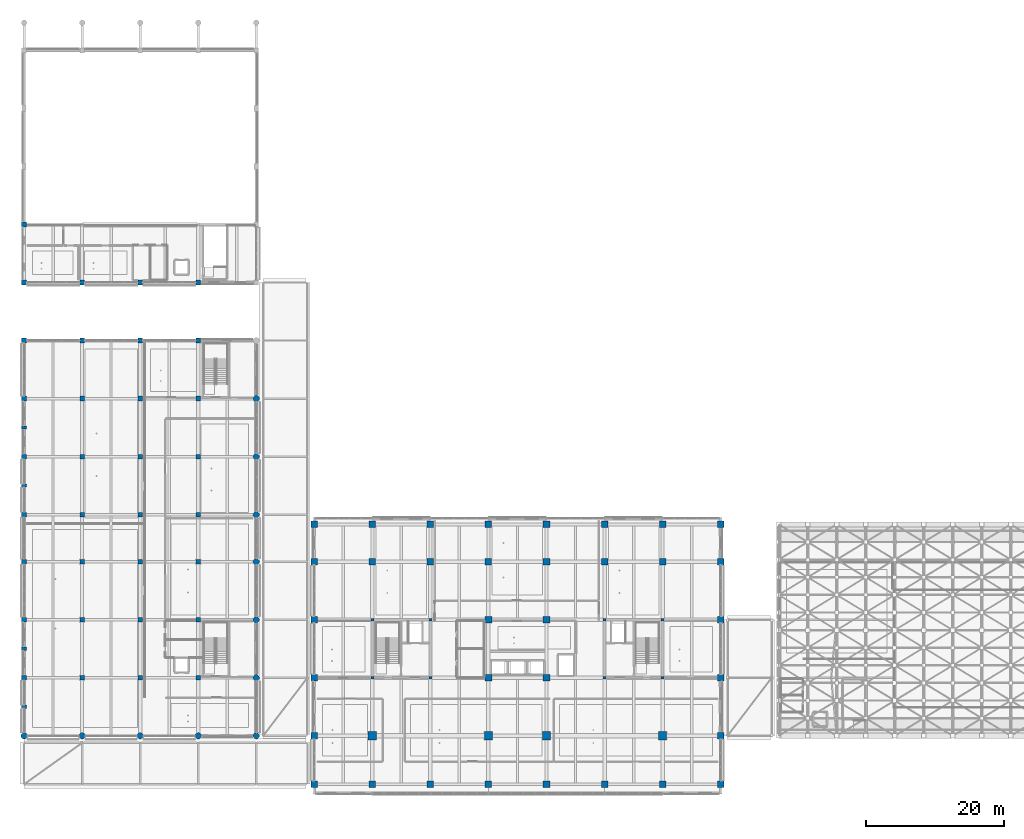
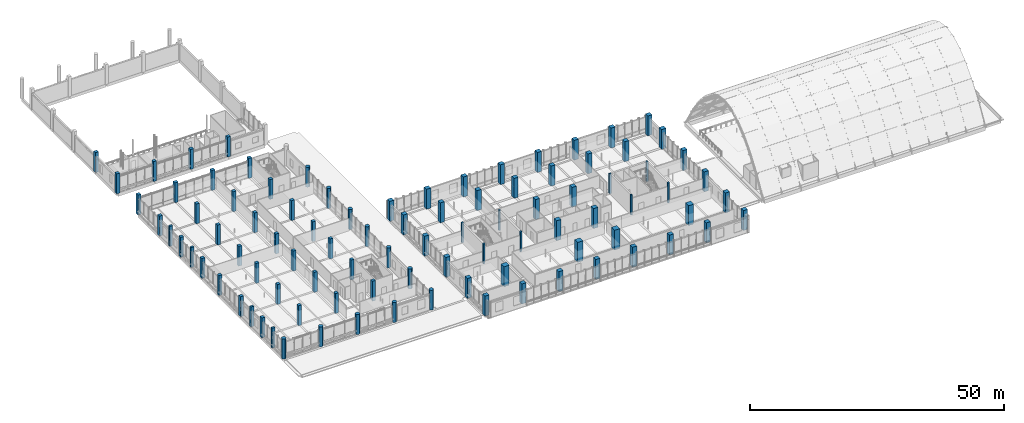
# One storey, part 1 of 128: 94 columns.
"""IFC4 building model written with IfcOpenShell, lengths in metres."""

from ifc_helpers import new_model, si_unit, direction, frame, origin, origin_2d, place, context, subcontext, project, spatial, rectangle, circle, extrude, material, material_profile, profile_set, type_object, element, save


model = new_model("IFC4")

# Units and contexts
model_context = context("Model", 3, precision=1e-05, world=origin(), true_north=direction((0.0, 1.0)))
body_context = subcontext(model_context, "Body", "Model", "MODEL_VIEW")
ifc_project = project(units=[si_unit("LENGTHUNIT", "METRE"), si_unit("AREAUNIT", "SQUARE_METRE"), si_unit("VOLUMEUNIT", "CUBIC_METRE"), si_unit("PLANEANGLEUNIT", "RADIAN"), si_unit("MASSUNIT", "GRAM", prefix="KILO")], contexts=[model_context])

# Site, building, storey
site_placement = place(None, origin())
site = spatial("IfcSite", under=ifc_project, at=site_placement, CompositionType="ELEMENT")
building_placement = place(site_placement, origin())
building = spatial("IfcBuilding", under=site, at=building_placement, Name="Telukmera Botanical Conservatory", CompositionType="ELEMENT")
storey_placement = place(building_placement, frame((0.0, 0.0, 5.39990234375)))
storey = spatial("IfcBuildingStorey", under=building, at=storey_placement, Name="L01", CompositionType="ELEMENT", Elevation=5.39990234375)

# Columns
ifc_material_1 = material(Name="Concrete C50/60", Category="concrete")
ifc_material_profile_1 = material_profile(ifc_material_1, rectangle(XDim=1.199951171875, YDim=1.199951171875, at=origin_2d()), Name="RC 1200x1200")
ifc_profile_set_1 = profile_set([ifc_material_profile_1], Name="Concrete C50/60")
column_type_1 = type_object("IfcColumnType", Name="Col_C1", PredefinedType="COLUMN", material=ifc_profile_set_1)
for number, where, z_axis, x_axis, name in (
    (1, (58.800048828125, 17.60009765625, 0.0), (0.0, 0.0, 1.0), (1.0, 0.0, 0.0), "Column V4-L01 (58.8,17.6)"),
    (2, (75.60009765625, 17.60009765625, 0.0), (0.0, 0.0, 1.0), (1.0, 0.0, 0.0), "Column V4-L01 (75.6,17.6)"),
    (3, (84.0, 17.60009765625, 0.0), (0.0, 0.0, 1.0), (1.0, 0.0, 0.0), "Column V4-L01 (84.0,17.6)"),
    (4, (100.800048828125, 17.60009765625, 0.0), (0.0, 0.0, 1.0), (1.0, 0.0, 0.0), "Column V4-L01 (100.8,17.6)"),
):
    element("IfcColumn", number, at=place(storey_placement, frame(where, z_axis=z_axis, x_axis=x_axis)), inside=storey, type_object=column_type_1, Name=name, PredefinedType="COLUMN", context=body_context, shape_type="SweptSolid", body=[
        extrude(rectangle(XDim=1.199951171875, YDim=1.199951171875, at=origin_2d()), origin(), (0.0, 0.0, 1.0), 4.800048828125),
    ])
ifc_material_profile_2 = material_profile(ifc_material_1, rectangle(XDim=0.39990234375, YDim=0.39990234375, at=origin_2d()), Name="RC 400x400")
ifc_profile_set_2 = profile_set([ifc_material_profile_2], Name="Concrete C50/60")
column_type_2 = type_object("IfcColumnType", Name="Col_C14", PredefinedType="COLUMN", material=ifc_profile_set_2)
for number, where, z_axis, x_axis, name in (
    (5, (58.800048828125, 26.0, 0.0), (0.0, 0.0, 1.0), (1.0, 0.0, 0.0), "Column V4-L01 (58.8,26.0)"),
    (6, (58.800048828125, 34.39990234375, 0.0), (0.0, 0.0, 1.0), (1.0, 0.0, 0.0), "Column V4-L01 (58.8,34.4)"),
    (7, (67.199951171875, 26.0, 0.0), (0.0, 0.0, 1.0), (1.0, 0.0, 0.0), "Column V4-L01 (67.2,26.0)"),
    (8, (67.199951171875, 34.39990234375, 0.0), (0.0, 0.0, 1.0), (1.0, 0.0, 0.0), "Column V4-L01 (67.2,34.4)"),
    (9, (92.39990234375, 26.0, 0.0), (0.0, 0.0, 1.0), (1.0, 0.0, 0.0), "Column V4-L01 (92.4,26.0)"),
    (10, (92.39990234375, 34.39990234375, 0.0), (0.0, 0.0, 1.0), (1.0, 0.0, 0.0), "Column V4-L01 (92.4,34.4)"),
    (11, (100.800048828125, 26.0, 0.0), (0.0, 0.0, 1.0), (1.0, 0.0, 0.0), "Column V4-L01 (100.8,26.0)"),
    (12, (100.800048828125, 34.39990234375, 0.0), (0.0, 0.0, 1.0), (1.0, 0.0, 0.0), "Column V4-L01 (100.8,34.4)"),
):
    element("IfcColumn", number, at=place(storey_placement, frame(where, z_axis=z_axis, x_axis=x_axis)), inside=storey, type_object=column_type_2, Name=name, PredefinedType="COLUMN", context=body_context, shape_type="SweptSolid", body=[
        extrude(rectangle(XDim=0.39990234375, YDim=0.39990234375, at=origin_2d()), origin(), (0.0, 0.0, 1.0), 4.800048828125),
    ])
ifc_material_2 = material(Name="Concrete C40/50", Category="concrete")
ifc_material_profile_3 = material_profile(ifc_material_2, circle(Radius=0.449951171875, at=origin_2d()), Name="RC D900")
ifc_profile_set_3 = profile_set([ifc_material_profile_3], Name="Concrete C40/50")
column_type_3 = type_object("IfcColumnType", Name="Col_C16", PredefinedType="COLUMN", material=ifc_profile_set_3)
for number, where, z_axis, x_axis, name in (
    (13, (8.39990234375, 17.60009765625, 0.0), (0.0, 0.0, 1.0), (1.0, 0.0, 0.0), "Column V3-L01 (8.4,17.6)"),
    (14, (16.800048828125, 17.60009765625, 0.0), (0.0, 0.0, 1.0), (1.0, 0.0, 0.0), "Column V3-L01 (16.8,17.6)"),
    (15, (25.199951171875, 17.60009765625, 0.0), (0.0, 0.0, 1.0), (1.0, 0.0, 0.0), "Column V3-L01 (25.2,17.6)"),
    (16, (33.60009765625, 17.60009765625, 0.0), (0.0, 0.0, 1.0), (1.0, 0.0, 0.0), "Column V3-L01 (33.6,17.6)"),
    (17, (42.0, 17.60009765625, 0.0), (0.0, 0.0, 1.0), (1.0, 0.0, 0.0), "Column V3-L01 (42.0,17.6)"),
    (18, (42.0, 26.0, 0.0), (0.0, 0.0, 1.0), (1.0, 0.0, 0.0), "Column V3-L01 (42.0,26.0)"),
    (19, (42.0, 34.39990234375, 0.0), (0.0, 0.0, 1.0), (1.0, 0.0, 0.0), "Column V3-L01 (42.0,34.4)"),
    (20, (42.0, 42.800048828125, 0.0), (0.0, 0.0, 1.0), (1.0, 0.0, 0.0), "Column V3-L01 (42.0,42.8)"),
    (21, (42.0, 49.60009765625, 0.0), (0.0, 0.0, 1.0), (1.0, 0.0, 0.0), "Column V3-L01 (42.0,49.6)"),
    (22, (42.0, 58.0, 0.0), (0.0, 0.0, 1.0), (1.0, 0.0, 0.0), "Column V3-L01 (42.0,58.0)"),
    (23, (42.0, 66.39990234375, 0.0), (0.0, 0.0, 1.0), (1.0, 0.0, 0.0), "Column V3-L01 (42.0,66.4)"),
):
    element("IfcColumn", number, at=place(storey_placement, frame(where, z_axis=z_axis, x_axis=x_axis)), inside=storey, type_object=column_type_3, Name=name, PredefinedType="COLUMN", context=body_context, shape_type="SweptSolid", body=[
        extrude(circle(Radius=0.449951171875, at=origin_2d()), origin(), (0.0, 0.0, 1.0), 4.800048828125),
    ])
ifc_material_profile_4 = material_profile(ifc_material_1, rectangle(XDim=1.0, YDim=1.0, at=origin_2d()), Name="RC 1000x1000")
ifc_profile_set_4 = profile_set([ifc_material_profile_4], Name="Concrete C50/60")
column_type_4 = type_object("IfcColumnType", Name="Col_C3", PredefinedType="COLUMN", material=ifc_profile_set_4)
for number, where, z_axis, x_axis, name in (
    (24, (75.60009765625, 26.0, 0.0), (0.0, 0.0, 1.0), (1.0, 0.0, 0.0), "Column V4-L01 (75.6,26.0)"),
    (25, (75.60009765625, 34.39990234375, 0.0), (0.0, 0.0, 1.0), (1.0, 0.0, 0.0), "Column V4-L01 (75.6,34.4)"),
    (26, (84.0, 26.0, 0.0), (0.0, 0.0, 1.0), (1.0, 0.0, 0.0), "Column V4-L01 (84.0,26.0)"),
    (27, (84.0, 34.39990234375, 0.0), (0.0, 0.0, 1.0), (1.0, 0.0, 0.0), "Column V4-L01 (84.0,34.4)"),
):
    element("IfcColumn", number, at=place(storey_placement, frame(where, z_axis=z_axis, x_axis=x_axis)), inside=storey, type_object=column_type_4, Name=name, PredefinedType="COLUMN", context=body_context, shape_type="SweptSolid", body=[
        extrude(rectangle(XDim=1.0, YDim=1.0, at=origin_2d()), origin(), (0.0, 0.0, 1.0), 4.800048828125),
    ])
ifc_material_profile_5 = material_profile(ifc_material_1, rectangle(XDim=0.949951171875, YDim=0.949951171875, at=origin_2d()), Name="RC 950x950")
ifc_profile_set_5 = profile_set([ifc_material_profile_5], Name="Concrete C50/60")
column_type_5 = type_object("IfcColumnType", Name="Col_C4", PredefinedType="COLUMN", material=ifc_profile_set_5)
for number, where, z_axis, x_axis, name in (
    (28, (50.39990234375, 10.60009765625, 0.0), (0.0, 0.0, 1.0), (1.0, 0.0, 0.0), "Column V4-L01 (50.4,10.6)"),
    (29, (50.39990234375, 17.60009765625, 0.0), (0.0, 0.0, 1.0), (1.0, 0.0, 0.0), "Column V4-L01 (50.4,17.6)"),
    (30, (50.39990234375, 26.0, 0.0), (0.0, 0.0, 1.0), (1.0, 0.0, 0.0), "Column V4-L01 (50.4,26.0)"),
    (31, (50.39990234375, 34.39990234375, 0.0), (0.0, 0.0, 1.0), (1.0, 0.0, 0.0), "Column V4-L01 (50.4,34.4)"),
    (32, (50.39990234375, 42.800048828125, 0.0), (0.0, 0.0, 1.0), (1.0, 0.0, 0.0), "Column V4-L01 (50.4,42.8)"),
    (33, (50.39990234375, 48.199951171875, 0.0), (0.0, 0.0, 1.0), (1.0, 0.0, 0.0), "Column V4-L01 (50.4,48.2)"),
    (34, (58.800048828125, 10.60009765625, 0.0), (0.0, 0.0, 1.0), (1.0, 0.0, 0.0), "Column V4-L01 (58.8,10.6)"),
    (35, (58.800048828125, 42.800048828125, 0.0), (0.0, 0.0, 1.0), (1.0, 0.0, 0.0), "Column V4-L01 (58.8,42.8)"),
    (36, (58.800048828125, 48.199951171875, 0.0), (0.0, 0.0, 1.0), (1.0, 0.0, 0.0), "Column V4-L01 (58.8,48.2)"),
    (37, (67.199951171875, 10.60009765625, 0.0), (0.0, 0.0, 1.0), (1.0, 0.0, 0.0), "Column V4-L01 (67.2,10.6)"),
    (38, (67.199951171875, 42.800048828125, 0.0), (0.0, 0.0, 1.0), (1.0, 0.0, 0.0), "Column V4-L01 (67.2,42.8)"),
    (39, (67.199951171875, 48.199951171875, 0.0), (0.0, 0.0, 1.0), (1.0, 0.0, 0.0), "Column V4-L01 (67.2,48.2)"),
    (40, (75.60009765625, 10.60009765625, 0.0), (0.0, 0.0, 1.0), (1.0, 0.0, 0.0), "Column V4-L01 (75.6,10.6)"),
    (41, (75.60009765625, 42.800048828125, 0.0), (0.0, 0.0, 1.0), (1.0, 0.0, 0.0), "Column V4-L01 (75.6,42.8)"),
    (42, (75.60009765625, 48.199951171875, 0.0), (0.0, 0.0, 1.0), (1.0, 0.0, 0.0), "Column V4-L01 (75.6,48.2)"),
    (43, (84.0, 10.60009765625, 0.0), (0.0, 0.0, 1.0), (1.0, 0.0, 0.0), "Column V4-L01 (84.0,10.6)"),
    (44, (84.0, 42.800048828125, 0.0), (0.0, 0.0, 1.0), (1.0, 0.0, 0.0), "Column V4-L01 (84.0,42.8)"),
    (45, (84.0, 48.199951171875, 0.0), (0.0, 0.0, 1.0), (1.0, 0.0, 0.0), "Column V4-L01 (84.0,48.2)"),
    (46, (92.39990234375, 10.60009765625, 0.0), (0.0, 0.0, 1.0), (1.0, 0.0, 0.0), "Column V4-L01 (92.4,10.6)"),
    (47, (92.39990234375, 42.800048828125, 0.0), (0.0, 0.0, 1.0), (1.0, 0.0, 0.0), "Column V4-L01 (92.4,42.8)"),
    (48, (92.39990234375, 48.199951171875, 0.0), (0.0, 0.0, 1.0), (1.0, 0.0, 0.0), "Column V4-L01 (92.4,48.2)"),
    (49, (100.800048828125, 10.60009765625, 0.0), (0.0, 0.0, 1.0), (1.0, 0.0, 0.0), "Column V4-L01 (100.8,10.6)"),
    (50, (100.800048828125, 42.800048828125, 0.0), (0.0, 0.0, 1.0), (1.0, 0.0, 0.0), "Column V4-L01 (100.8,42.8)"),
    (51, (100.800048828125, 48.199951171875, 0.0), (0.0, 0.0, 1.0), (1.0, 0.0, 0.0), "Column V4-L01 (100.8,48.2)"),
    (52, (109.199951171875, 10.60009765625, 0.0), (0.0, 0.0, 1.0), (1.0, 0.0, 0.0), "Column V4-L01 (109.2,10.6)"),
    (53, (109.199951171875, 17.60009765625, 0.0), (0.0, 0.0, 1.0), (1.0, 0.0, 0.0), "Column V4-L01 (109.2,17.6)"),
    (54, (109.199951171875, 26.0, 0.0), (0.0, 0.0, 1.0), (1.0, 0.0, 0.0), "Column V4-L01 (109.2,26.0)"),
    (55, (109.199951171875, 34.39990234375, 0.0), (0.0, 0.0, 1.0), (1.0, 0.0, 0.0), "Column V4-L01 (109.2,34.4)"),
    (56, (109.199951171875, 42.800048828125, 0.0), (0.0, 0.0, 1.0), (1.0, 0.0, 0.0), "Column V4-L01 (109.2,42.8)"),
    (57, (109.199951171875, 48.199951171875, 0.0), (0.0, 0.0, 1.0), (1.0, 0.0, 0.0), "Column V4-L01 (109.2,48.2)"),
):
    element("IfcColumn", number, at=place(storey_placement, frame(where, z_axis=z_axis, x_axis=x_axis)), inside=storey, type_object=column_type_5, Name=name, PredefinedType="COLUMN", context=body_context, shape_type="SweptSolid", body=[
        extrude(rectangle(XDim=0.949951171875, YDim=0.949951171875, at=origin_2d()), origin(), (0.0, 0.0, 1.0), 4.800048828125),
    ])
ifc_material_profile_6 = material_profile(ifc_material_2, rectangle(XDim=0.699951171875, YDim=0.699951171875, at=origin_2d()), Name="RC 700x700")
ifc_profile_set_6 = profile_set([ifc_material_profile_6], Name="Concrete C40/50")
column_type_6 = type_object("IfcColumnType", Name="Col_C9", PredefinedType="COLUMN", material=ifc_profile_set_6)
for number, where, z_axis, x_axis, name in (
    (58, (8.39990234375, 83.199951171875, 0.0), (0.0, 0.0, 1.0), (1.0, 0.0, 0.0), "Column V2-L01 (8.4,83.2)"),
    (59, (8.39990234375, 91.60009765625, 0.0), (0.0, 0.0, 1.0), (1.0, 0.0, 0.0), "Column V2-L01 (8.4,91.6)"),
    (60, (16.800048828125, 83.199951171875, 0.0), (0.0, 0.0, 1.0), (1.0, 0.0, 0.0), "Column V2-L01 (16.8,83.2)"),
    (61, (25.199951171875, 83.199951171875, 0.0), (0.0, 0.0, 1.0), (1.0, 0.0, 0.0), "Column V2-L01 (25.2,83.2)"),
    (62, (33.60009765625, 83.199951171875, 0.0), (0.0, 0.0, 1.0), (1.0, 0.0, 0.0), "Column V2-L01 (33.6,83.2)"),
    (63, (8.39990234375, 26.0, 0.0), (0.0, 0.0, 1.0), (1.0, 0.0, 0.0), "Column V3-L01 (8.4,26.0)"),
    (64, (8.39990234375, 34.39990234375, 0.0), (0.0, 0.0, 1.0), (1.0, 0.0, 0.0), "Column V3-L01 (8.4,34.4)"),
    (65, (8.39990234375, 42.800048828125, 0.0), (0.0, 0.0, 1.0), (1.0, 0.0, 0.0), "Column V3-L01 (8.4,42.8)"),
    (66, (8.39990234375, 49.60009765625, 0.0), (0.0, 0.0, 1.0), (1.0, 0.0, 0.0), "Column V3-L01 (8.4,49.6)"),
    (67, (8.39990234375, 58.0, 0.0), (0.0, 0.0, 1.0), (1.0, 0.0, 0.0), "Column V3-L01 (8.4,58.0)"),
    (68, (8.39990234375, 66.39990234375, 0.0), (0.0, 0.0, 1.0), (1.0, 0.0, 0.0), "Column V3-L01 (8.4,66.4)"),
    (69, (8.39990234375, 74.800048828125, 0.0), (0.0, 0.0, 1.0), (1.0, 0.0, 0.0), "Column V3-L01 (8.4,74.8)"),
    (70, (16.800048828125, 26.0, 0.0), (0.0, 0.0, 1.0), (1.0, 0.0, 0.0), "Column V3-L01 (16.8,26.0)"),
    (71, (16.800048828125, 34.39990234375, 0.0), (0.0, 0.0, 1.0), (1.0, 0.0, 0.0), "Column V3-L01 (16.8,34.4)"),
    (72, (16.800048828125, 42.800048828125, 0.0), (0.0, 0.0, 1.0), (1.0, 0.0, 0.0), "Column V3-L01 (16.8,42.8)"),
    (73, (16.800048828125, 49.60009765625, 0.0), (0.0, 0.0, 1.0), (1.0, 0.0, 0.0), "Column V3-L01 (16.8,49.6)"),
    (74, (16.800048828125, 58.0, 0.0), (0.0, 0.0, 1.0), (1.0, 0.0, 0.0), "Column V3-L01 (16.8,58.0)"),
    (75, (16.800048828125, 66.39990234375, 0.0), (0.0, 0.0, 1.0), (1.0, 0.0, 0.0), "Column V3-L01 (16.8,66.4)"),
    (76, (16.800048828125, 74.800048828125, 0.0), (0.0, 0.0, 1.0), (1.0, 0.0, 0.0), "Column V3-L01 (16.8,74.8)"),
    (77, (25.199951171875, 26.0, 0.0), (0.0, 0.0, 1.0), (1.0, 0.0, 0.0), "Column V3-L01 (25.2,26.0)"),
    (78, (25.199951171875, 34.39990234375, 0.0), (0.0, 0.0, 1.0), (1.0, 0.0, 0.0), "Column V3-L01 (25.2,34.4)"),
    (79, (25.199951171875, 42.800048828125, 0.0), (0.0, 0.0, 1.0), (1.0, 0.0, 0.0), "Column V3-L01 (25.2,42.8)"),
    (80, (25.199951171875, 49.60009765625, 0.0), (0.0, 0.0, 1.0), (1.0, 0.0, 0.0), "Column V3-L01 (25.2,49.6)"),
    (81, (25.199951171875, 58.0, 0.0), (0.0, 0.0, 1.0), (1.0, 0.0, 0.0), "Column V3-L01 (25.2,58.0)"),
    (82, (25.199951171875, 66.39990234375, 0.0), (0.0, 0.0, 1.0), (1.0, 0.0, 0.0), "Column V3-L01 (25.2,66.4)"),
    (83, (25.199951171875, 74.800048828125, 0.0), (0.0, 0.0, 1.0), (1.0, 0.0, 0.0), "Column V3-L01 (25.2,74.8)"),
    (84, (33.60009765625, 26.0, 0.0), (0.0, 0.0, 1.0), (1.0, 0.0, 0.0), "Column V3-L01 (33.6,26.0)"),
    (85, (33.60009765625, 34.39990234375, 0.0), (0.0, 0.0, 1.0), (1.0, 0.0, 0.0), "Column V3-L01 (33.6,34.4)"),
    (86, (33.60009765625, 42.800048828125, 0.0), (0.0, 0.0, 1.0), (1.0, 0.0, 0.0), "Column V3-L01 (33.6,42.8)"),
    (87, (33.60009765625, 49.60009765625, 0.0), (0.0, 0.0, 1.0), (1.0, 0.0, 0.0), "Column V3-L01 (33.6,49.6)"),
    (88, (33.60009765625, 58.0, 0.0), (0.0, 0.0, 1.0), (1.0, 0.0, 0.0), "Column V3-L01 (33.6,58.0)"),
    (89, (33.60009765625, 66.39990234375, 0.0), (0.0, 0.0, 1.0), (1.0, 0.0, 0.0), "Column V3-L01 (33.6,66.4)"),
    (90, (33.60009765625, 74.800048828125, 0.0), (0.0, 0.0, 1.0), (1.0, 0.0, 0.0), "Column V3-L01 (33.6,74.8)"),
):
    element("IfcColumn", number, at=place(storey_placement, frame(where, z_axis=z_axis, x_axis=x_axis)), inside=storey, type_object=column_type_6, Name=name, PredefinedType="COLUMN", context=body_context, shape_type="SweptSolid", body=[
        extrude(rectangle(XDim=0.699951171875, YDim=0.699951171875, at=origin_2d()), origin(), (0.0, 0.0, 1.0), 4.800048828125),
    ])
ifc_material_3 = material(Name="Precast concrete C40/50", Category="concrete")
ifc_material_profile_7 = material_profile(ifc_material_3, rectangle(XDim=0.699951171875, YDim=0.449951171875, at=origin_2d()), Name="PC 700x450")
ifc_profile_set_7 = profile_set([ifc_material_profile_7], Name="Precast concrete C40/50")
column_type_7 = type_object("IfcColumnType", Name="Col_PLP2", PredefinedType="PILASTER", material=ifc_profile_set_7)
for number, where, z_axis, x_axis, name in (
    (91, (8.39990234375, 21.800048828125, 0.0), (0.0, 0.0, 1.0), (1.0, 0.0, 0.0), "Column V3-L01 (8.4,21.8)"),
    (92, (8.39990234375, 30.199951171875, 0.0), (0.0, 0.0, 1.0), (1.0, 0.0, 0.0), "Column V3-L01 (8.4,30.2)"),
    (93, (8.39990234375, 53.800048828125, 0.0), (0.0, 0.0, 1.0), (1.0, 0.0, 0.0), "Column V3-L01 (8.4,53.8)"),
    (94, (8.39990234375, 62.199951171875, 0.0), (0.0, 0.0, 1.0), (1.0, 0.0, 0.0), "Column V3-L01 (8.4,62.2)"),
):
    element("IfcColumn", number, at=place(storey_placement, frame(where, z_axis=z_axis, x_axis=x_axis)), inside=storey, type_object=column_type_7, Name=name, PredefinedType="PILASTER", context=body_context, shape_type="SweptSolid", body=[
        extrude(rectangle(XDim=0.699951171875, YDim=0.449951171875, at=origin_2d()), origin(), (0.0, 0.0, 1.0), 4.800048828125),
    ])

save(model, "model.ifc")
